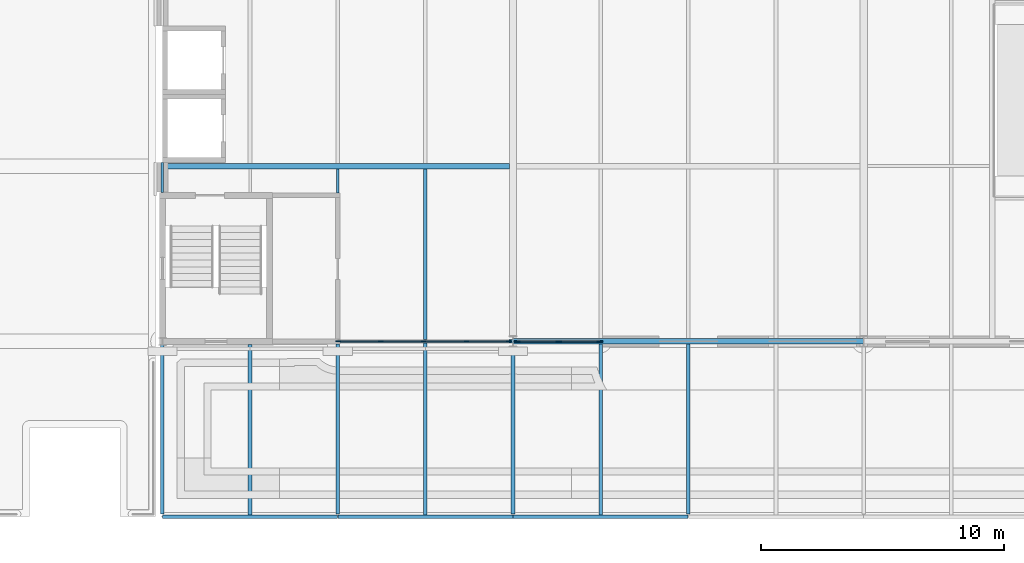
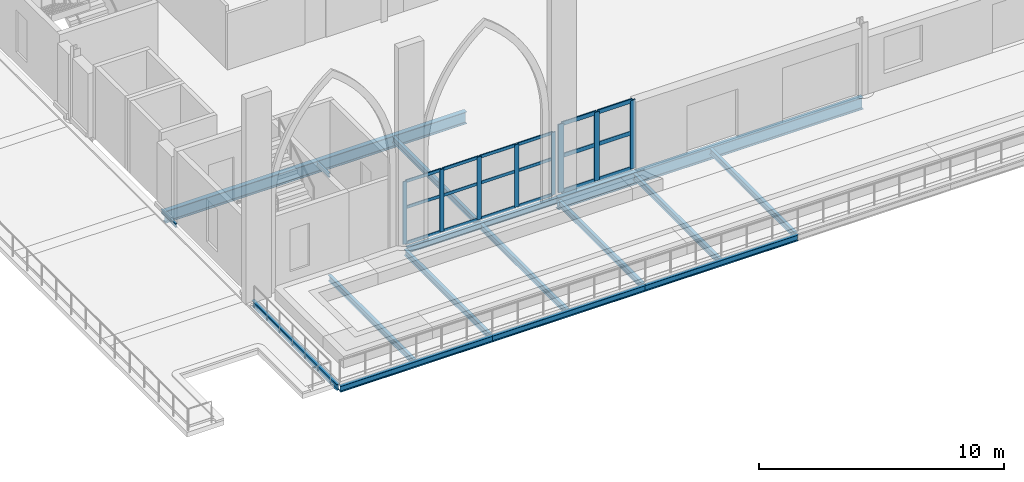
# One storey, part 30 of 143: 26 members, 16 beams, 2 elements without a shape of their own.
"""IFC4 building model written with IfcOpenShell, lengths in metres."""

from ifc_helpers import new_model, si_unit, direction, frame, origin, origin_2d, place, context, subcontext, project, spatial, rectangle, i_section, extrude, material, material_profile, profile_set, type_object, element, aggregate, save


model = new_model("IFC4")

# Units and contexts
model_context = context("Model", 3, precision=1e-05, world=origin(), true_north=direction((0.0, 1.0)))
body_context = subcontext(model_context, "Body", "Model", "MODEL_VIEW")
ifc_project = project(units=[si_unit("LENGTHUNIT", "METRE"), si_unit("AREAUNIT", "SQUARE_METRE"), si_unit("VOLUMEUNIT", "CUBIC_METRE"), si_unit("PLANEANGLEUNIT", "RADIAN"), si_unit("MASSUNIT", "GRAM", prefix="KILO")], contexts=[model_context])

# Site, building, storey
site_placement = place(None, origin())
site = spatial("IfcSite", under=ifc_project, at=site_placement, CompositionType="ELEMENT")
building_placement = place(site_placement, origin())
building = spatial("IfcBuilding", under=site, at=building_placement, Name="Kupolbacken Congress Centre", CompositionType="ELEMENT")
storey_placement = place(building_placement, frame((0.0, 0.0, 7.199951171875)))
storey = spatial("IfcBuildingStorey", under=building, at=storey_placement, Name="L02", CompositionType="ELEMENT", Elevation=7.199951171875)

# Beams
ifc_material_1 = material(Name="Steel S355", Category="steel")
ifc_material_profile_1 = material_profile(ifc_material_1, i_section(OverallWidth=0.10009765625, OverallDepth=0.199951171875, WebThickness=0.005615234375, FlangeThickness=0.008544921875, FilletRadius=0.011962890625, at=origin_2d()), Name="IPE 200")
ifc_profile_set_1 = profile_set([ifc_material_profile_1], Name="Steel S355")
beam_type_1 = type_object("IfcBeamType", Name="B01 beam IPE 200", PredefinedType="BEAM", material=ifc_profile_set_1)
beam_1_placement = place(storey_placement, frame((7.199951171875, 34.925048828125, -0.280029296875), z_axis=(0.0, 1.0, 0.0), x_axis=(-1.0, 0.0, 0.0)))
element("IfcBeam", 1, at=beam_1_placement, inside=storey, type_object=beam_type_1, Name="S/floor/F/L02/G002", PredefinedType="BEAM", context=body_context, shape_type="SweptSolid", body=[
    extrude(i_section(OverallWidth=0.10009765625, OverallDepth=0.199951171875, WebThickness=0.005615234375, FlangeThickness=0.008544921875, FilletRadius=0.011962890625, at=origin_2d()), origin(), (0.0, 0.0, 1.0), 1.224853515625),
])
beam_2_placement = place(storey_placement, frame((14.39990234375, 34.89990234375, -0.280029296875), z_axis=(0.0, 1.0, 0.0), x_axis=(-1.0, 0.0, 0.0)))
element("IfcBeam", 2, at=beam_2_placement, inside=storey, type_object=beam_type_1, Name="S/floor/F/L02/S061", PredefinedType="BEAM", context=body_context, shape_type="SweptSolid", body=[
    extrude(i_section(OverallWidth=0.10009765625, OverallDepth=0.199951171875, WebThickness=0.005615234375, FlangeThickness=0.008544921875, FilletRadius=0.011962890625, at=origin_2d()), origin(), (0.0, 0.0, 1.0), 0.989990234375),
])
ifc_material_2 = material(Name="Steel S355", Category="steel")
ifc_material_profile_2 = material_profile(ifc_material_2, i_section(OverallWidth=0.14990234375, OverallDepth=0.300048828125, WebThickness=0.007080078125, FlangeThickness=0.0107421875, FilletRadius=0.014892578125, at=origin_2d()), Name="IPE 300")
ifc_profile_set_2 = profile_set([ifc_material_profile_2], Name="Steel S355")
beam_type_2 = type_object("IfcBeamType", Name="B04 beam IPE 300", PredefinedType="BEAM", material=ifc_profile_set_2)
beam_3_placement = place(storey_placement, frame((7.199951171875, 21.715087890625, -0.329833984375), z_axis=(0.0, 1.0, 0.0), x_axis=(-1.0, 0.0, 0.0)))
element("IfcBeam", 3, at=beam_3_placement, inside=storey, type_object=beam_type_2, Name="S/floor/F/L02/G001", PredefinedType="BEAM", context=body_context, shape_type="SweptSolid", body=[
    extrude(i_section(OverallWidth=0.14990234375, OverallDepth=0.300048828125, WebThickness=0.007080078125, FlangeThickness=0.0107421875, FilletRadius=0.014892578125, at=origin_2d()), origin(), (0.0, 0.0, 1.0), 6.9599609375),
])
beam_4_placement = place(storey_placement, frame((21.60009765625, 21.715087890625, -0.329833984375), z_axis=(0.0, 1.0, 0.0), x_axis=(-1.0, 0.0, 0.0)))
element("IfcBeam", 4, at=beam_4_placement, inside=storey, type_object=beam_type_2, Name="S/floor/F/L02/G005", PredefinedType="BEAM", context=body_context, shape_type="SweptSolid", body=[
    extrude(i_section(OverallWidth=0.14990234375, OverallDepth=0.300048828125, WebThickness=0.007080078125, FlangeThickness=0.0107421875, FilletRadius=0.014892578125, at=origin_2d()), origin(), (0.0, 0.0, 1.0), 6.85986328125),
])
beam_5_placement = place(storey_placement, frame((14.5, 28.800048828125, -0.329833984375), z_axis=(1.0, 0.0, 0.0), x_axis=(0.0, 1.0, 0.0)))
element("IfcBeam", 5, at=beam_5_placement, inside=storey, type_object=beam_type_2, Name="S/floor/F/L02/R021", PredefinedType="BEAM", context=body_context, shape_type="SweptSolid", body=[
    extrude(i_section(OverallWidth=0.14990234375, OverallDepth=0.300048828125, WebThickness=0.007080078125, FlangeThickness=0.0107421875, FilletRadius=0.014892578125, at=origin_2d()), origin(), (0.0, 0.0, 1.0), 7.093017578125),
])
for number, where, z_axis, x_axis, name in (
    (6, (7.203857421875, 21.60009765625, -0.329833984375), (1.0, 0.0, 0.0), (0.0, 1.0, 0.0), "S/floor/F/L02/R036"),
    (7, (14.40380859375, 21.60009765625, -0.329833984375), (1.0, 0.0, 0.0), (0.0, 1.0, 0.0), "S/floor/F/L02/R037"),
    (8, (21.603759765625, 21.60009765625, -0.329833984375), (1.0, 0.0, 0.0), (0.0, 1.0, 0.0), "S/floor/F/L02/R038"),
):
    element("IfcBeam", number, at=place(storey_placement, frame(where, z_axis=z_axis, x_axis=x_axis)), inside=storey, type_object=beam_type_2, Name=name, PredefinedType="BEAM", context=body_context, shape_type="SweptSolid", body=[
        extrude(i_section(OverallWidth=0.14990234375, OverallDepth=0.300048828125, WebThickness=0.007080078125, FlangeThickness=0.0107421875, FilletRadius=0.014892578125, at=origin_2d()), origin(), (0.0, 0.0, 1.0), 7.1923828125),
    ])
beam_6_placement = place(storey_placement, frame((10.800048828125, 21.675048828125, -0.329833984375), z_axis=(0.0, 1.0, 0.0), x_axis=(-1.0, 0.0, 0.0)))
element("IfcBeam", 9, at=beam_6_placement, inside=storey, type_object=beam_type_2, Name="S/floor/F/L02/S056", PredefinedType="BEAM", context=body_context, shape_type="SweptSolid", body=[
    extrude(i_section(OverallWidth=0.14990234375, OverallDepth=0.300048828125, WebThickness=0.007080078125, FlangeThickness=0.0107421875, FilletRadius=0.014892578125, at=origin_2d()), origin(), (0.0, 0.0, 1.0), 7.0),
])
beam_7_placement = place(storey_placement, frame((14.39990234375, 21.715087890625, -0.329833984375), z_axis=(0.0, 1.0, 0.0), x_axis=(-1.0, 0.0, 0.0)))
element("IfcBeam", 10, at=beam_7_placement, inside=storey, type_object=beam_type_2, Name="S/floor/F/L02/S060", PredefinedType="BEAM", context=body_context, shape_type="SweptSolid", body=[
    extrude(i_section(OverallWidth=0.14990234375, OverallDepth=0.300048828125, WebThickness=0.007080078125, FlangeThickness=0.0107421875, FilletRadius=0.014892578125, at=origin_2d()), origin(), (0.0, 0.0, 1.0), 6.98486328125),
])
beam_8_placement = place(storey_placement, frame((18.0, 21.675048828125, -0.329833984375), z_axis=(0.0, 1.0, 0.0), x_axis=(-1.0, 0.0, 0.0)))
element("IfcBeam", 11, at=beam_8_placement, inside=storey, type_object=beam_type_2, Name="S/floor/F/L02/S064", PredefinedType="BEAM", context=body_context, shape_type="SweptSolid", body=[
    extrude(i_section(OverallWidth=0.14990234375, OverallDepth=0.300048828125, WebThickness=0.007080078125, FlangeThickness=0.0107421875, FilletRadius=0.014892578125, at=origin_2d()), origin(), (0.0, 0.0, 1.0), 7.050048828125),
])
for number, where, z_axis, x_axis, name in (
    (12, (18.0, 28.875, -0.329833984375), (0.0, 1.0, 0.0), (-1.0, 0.0, 0.0), "S/floor/F/L02/S065"),
    (13, (25.199951171875, 21.675048828125, -0.329833984375), (0.0, 1.0, 0.0), (-1.0, 0.0, 0.0), "S/floor/F/L02/S068"),
):
    element("IfcBeam", number, at=place(storey_placement, frame(where, z_axis=z_axis, x_axis=x_axis)), inside=storey, type_object=beam_type_2, Name=name, PredefinedType="BEAM", context=body_context, shape_type="SweptSolid", body=[
        extrude(i_section(OverallWidth=0.14990234375, OverallDepth=0.300048828125, WebThickness=0.007080078125, FlangeThickness=0.0107421875, FilletRadius=0.014892578125, at=origin_2d()), origin(), (0.0, 0.0, 1.0), 7.014892578125),
    ])
beam_9_placement = place(storey_placement, frame((28.800048828125, 21.715087890625, -0.329833984375), z_axis=(0.0, 1.0, 0.0), x_axis=(-1.0, 0.0, 0.0)))
element("IfcBeam", 14, at=beam_9_placement, inside=storey, type_object=beam_type_2, Name="S/floor/F/L02/S072", PredefinedType="BEAM", context=body_context, shape_type="SweptSolid", body=[
    extrude(i_section(OverallWidth=0.14990234375, OverallDepth=0.300048828125, WebThickness=0.007080078125, FlangeThickness=0.0107421875, FilletRadius=0.014892578125, at=origin_2d()), origin(), (0.0, 0.0, 1.0), 6.974853515625),
])
ifc_material_3 = material(Name="Steel S355", Category="steel")
ifc_material_profile_3 = material_profile(ifc_material_3, i_section(OverallWidth=0.219970703125, OverallDepth=0.60009765625, WebThickness=0.011962890625, FlangeThickness=0.01904296875, FilletRadius=0.02392578125, at=origin_2d()), Name="IPE 600")
ifc_profile_set_3 = profile_set([ifc_material_profile_3], Name="Steel S355")
beam_type_3 = type_object("IfcBeamType", Name="B11 beam IPE 600", PredefinedType="BEAM", material=ifc_profile_set_3)
beam_10_placement = place(storey_placement, frame((21.60693359375, 28.800048828125, -0.47998046875), z_axis=(1.0, 0.0, 0.0), x_axis=(0.0, 1.0, 0.0)))
element("IfcBeam", 15, at=beam_10_placement, inside=storey, type_object=beam_type_3, Name="S/floor/F/L02/R022", PredefinedType="BEAM", context=body_context, shape_type="SweptSolid", body=[
    extrude(i_section(OverallWidth=0.219970703125, OverallDepth=0.60009765625, WebThickness=0.011962890625, FlangeThickness=0.01904296875, FilletRadius=0.02392578125, at=origin_2d()), origin(), (0.0, 0.0, 1.0), 14.385986328125),
])
beam_11_placement = place(storey_placement, frame((7.25, 36.0, -0.47998046875), z_axis=(1.0, 0.0, 0.0), x_axis=(0.0, 1.0, 0.0)))
element("IfcBeam", 16, at=beam_11_placement, inside=storey, type_object=beam_type_3, Name="S/floor/F/L02/R050", PredefinedType="BEAM", context=body_context, shape_type="SweptSolid", body=[
    extrude(i_section(OverallWidth=0.219970703125, OverallDepth=0.60009765625, WebThickness=0.011962890625, FlangeThickness=0.01904296875, FilletRadius=0.02392578125, at=origin_2d()), origin(), (0.0, 0.0, 1.0), 14.199951171875),
])

# Curtain wall, members
ifc_material_4 = material(Name="Aluminium mullion-transom frame with glass", Category="aluminium")
curtain_wall_type_1 = type_object("IfcCurtainWallType", Name="CW1 curtain wall 7200x3600", PredefinedType="NOTDEFINED", material=ifc_material_4)
curtain_wall_1_placement = place(storey_placement, origin())
curtain_wall_1 = element("IfcCurtainWall", 17, at=curtain_wall_1_placement, inside=storey, type_object=curtain_wall_type_1, Name="E/F/S/L02/232", PredefinedType="NOTDEFINED")
ifc_material_5 = material(Name="Aluminium alloy", Category="aluminium")
ifc_material_profile_4 = material_profile(ifc_material_5, rectangle(XDim=0.050048828125, YDim=0.199951171875, at=origin_2d()), Name="50 x 200")
ifc_profile_set_4 = profile_set([ifc_material_profile_4], Name="Aluminium alloy")
member_type_1 = type_object("IfcMemberType", Name="MU2 mullion 50x200", PredefinedType="MULLION", material=ifc_profile_set_4)
member_1_placement = place(storey_placement, frame((14.425048828125, 28.800048828125, 0.0), z_axis=(0.0, 0.0, 1.0), x_axis=(0.0, 1.0, 0.0)))
member_1 = element("IfcMember", 18, at=member_1_placement, type_object=member_type_1, Name="CW1 mullion 1", PredefinedType="MULLION", context=body_context, shape_type="SweptSolid", body=[
    extrude(rectangle(XDim=0.050048828125, YDim=0.199951171875, at=origin_2d()), origin(), (0.0, 0.0, 1.0), 3.1201171875),
])
member_2_placement = place(storey_placement, frame((16.16259765625, 28.800048828125, 0.0), z_axis=(0.0, 0.0, 1.0), x_axis=(0.0, 1.0, 0.0)))
member_2 = element("IfcMember", 19, at=member_2_placement, type_object=member_type_1, Name="CW1 mullion 2", PredefinedType="MULLION", context=body_context, shape_type="SweptSolid", body=[
    extrude(rectangle(XDim=0.050048828125, YDim=0.199951171875, at=origin_2d()), origin(), (0.0, 0.0, 1.0), 3.1201171875),
])
member_3_placement = place(storey_placement, frame((17.925048828125, 28.800048828125, 0.0), z_axis=(0.0, 0.0, 1.0), x_axis=(0.0, 1.0, 0.0)))
member_3 = element("IfcMember", 20, at=member_3_placement, type_object=member_type_1, Name="CW1 mullion 3", PredefinedType="MULLION", context=body_context, shape_type="SweptSolid", body=[
    extrude(rectangle(XDim=0.050048828125, YDim=0.199951171875, at=origin_2d()), origin(), (0.0, 0.0, 1.0), 3.1201171875),
])
member_4_placement = place(storey_placement, frame((19.6875, 28.800048828125, 0.0), z_axis=(0.0, 0.0, 1.0), x_axis=(0.0, 1.0, 0.0)))
member_4 = element("IfcMember", 21, at=member_4_placement, type_object=member_type_1, Name="CW1 mullion 4", PredefinedType="MULLION", context=body_context, shape_type="SweptSolid", body=[
    extrude(rectangle(XDim=0.050048828125, YDim=0.199951171875, at=origin_2d()), origin(), (0.0, 0.0, 1.0), 3.1201171875),
])
member_5_placement = place(storey_placement, frame((21.425048828125, 28.800048828125, 0.0), z_axis=(0.0, 0.0, 1.0), x_axis=(0.0, 1.0, 0.0)))
member_5 = element("IfcMember", 22, at=member_5_placement, type_object=member_type_1, Name="CW1 mullion 5", PredefinedType="MULLION", context=body_context, shape_type="SweptSolid", body=[
    extrude(rectangle(XDim=0.050048828125, YDim=0.199951171875, at=origin_2d()), origin(), (0.0, 0.0, 1.0), 3.1201171875),
])

ifc_material_6 = material(Name="Aluminium mullion-transom frame with glass", Category="aluminium")
curtain_wall_type_2 = type_object("IfcCurtainWallType", Name="CW2 curtain wall 3600x3600", PredefinedType="NOTDEFINED", material=ifc_material_6)
curtain_wall_2_placement = place(storey_placement, origin())
curtain_wall_2 = element("IfcCurtainWall", 23, at=curtain_wall_2_placement, inside=storey, type_object=curtain_wall_type_2, Name="E/F/S/L02/233", PredefinedType="NOTDEFINED")
ifc_material_7 = material(Name="Aluminium alloy", Category="aluminium")
ifc_material_profile_5 = material_profile(ifc_material_7, rectangle(XDim=0.06005859375, YDim=0.25, at=origin_2d()), Name="60 x 250")
ifc_profile_set_5 = profile_set([ifc_material_profile_5], Name="Aluminium alloy")
member_type_2 = type_object("IfcMemberType", Name="MU3 mullion 60x250", PredefinedType="MULLION", material=ifc_profile_set_5)
member_6_placement = place(storey_placement, frame((21.780029296875, 28.800048828125, 0.0), z_axis=(0.0, 0.0, 1.0), x_axis=(0.0, 1.0, 0.0)))
member_6 = element("IfcMember", 24, at=member_6_placement, type_object=member_type_2, Name="CW2 mullion 1", PredefinedType="MULLION", context=body_context, shape_type="SweptSolid", body=[
    extrude(rectangle(XDim=0.06005859375, YDim=0.25, at=origin_2d()), origin(), (0.0, 0.0, 1.0), 3.420166015625),
])
member_7_placement = place(storey_placement, frame((23.47509765625, 28.800048828125, 0.0), z_axis=(0.0, 0.0, 1.0), x_axis=(0.0, 1.0, 0.0)))
member_7 = element("IfcMember", 25, at=member_7_placement, type_object=member_type_2, Name="CW2 mullion 2", PredefinedType="MULLION", context=body_context, shape_type="SweptSolid", body=[
    extrude(rectangle(XDim=0.06005859375, YDim=0.25, at=origin_2d()), origin(), (0.0, 0.0, 1.0), 3.420166015625),
])
member_8_placement = place(storey_placement, frame((25.169921875, 28.800048828125, 0.0), z_axis=(0.0, 0.0, 1.0), x_axis=(0.0, 1.0, 0.0)))
member_8 = element("IfcMember", 26, at=member_8_placement, type_object=member_type_2, Name="CW2 mullion 3", PredefinedType="MULLION", context=body_context, shape_type="SweptSolid", body=[
    extrude(rectangle(XDim=0.06005859375, YDim=0.25, at=origin_2d()), origin(), (0.0, 0.0, 1.0), 3.420166015625),
])

# Member
ifc_material_8 = material(Name="Aluminium alloy", Category="aluminium")
ifc_material_profile_6 = material_profile(ifc_material_8, rectangle(XDim=0.050048828125, YDim=0.14990234375, at=origin_2d()), Name="50 x 150")
ifc_profile_set_6 = profile_set([ifc_material_profile_6], Name="Aluminium alloy")
member_type_3 = type_object("IfcMemberType", Name="TR2 transom 50x150", PredefinedType="MULLION", material=ifc_profile_set_6)
member_9_placement = place(storey_placement, frame((14.449951171875, 28.800048828125, 0.025146484375), z_axis=(1.0, 0.0, 0.0), x_axis=(0.0, 1.0, 0.0)))
member_9 = element("IfcMember", 27, at=member_9_placement, type_object=member_type_3, Name="CW1 transom 1.1", PredefinedType="MULLION", context=body_context, shape_type="SweptSolid", body=[
    extrude(rectangle(XDim=0.050048828125, YDim=0.14990234375, at=origin_2d()), origin(), (0.0, 0.0, 1.0), 1.6875),
])

member_10_placement = place(storey_placement, frame((14.449951171875, 28.800048828125, 1.800048828125), z_axis=(1.0, 0.0, 0.0), x_axis=(0.0, 1.0, 0.0)))
member_10 = element("IfcMember", 28, at=member_10_placement, type_object=member_type_3, Name="CW1 transom 1.2", PredefinedType="MULLION", context=body_context, shape_type="SweptSolid", body=[
    extrude(rectangle(XDim=0.050048828125, YDim=0.14990234375, at=origin_2d()), origin(), (0.0, 0.0, 1.0), 1.6875),
])

member_11_placement = place(storey_placement, frame((14.449951171875, 28.800048828125, 3.094970703125), z_axis=(1.0, 0.0, 0.0), x_axis=(0.0, 1.0, 0.0)))
member_11 = element("IfcMember", 29, at=member_11_placement, type_object=member_type_3, Name="CW1 transom 1.3", PredefinedType="MULLION", context=body_context, shape_type="SweptSolid", body=[
    extrude(rectangle(XDim=0.050048828125, YDim=0.14990234375, at=origin_2d()), origin(), (0.0, 0.0, 1.0), 1.6875),
])

member_12_placement = place(storey_placement, frame((16.1875, 28.800048828125, 0.025146484375), z_axis=(1.0, 0.0, 0.0), x_axis=(0.0, 1.0, 0.0)))
member_12 = element("IfcMember", 30, at=member_12_placement, type_object=member_type_3, Name="CW1 transom 2.1", PredefinedType="MULLION", context=body_context, shape_type="SweptSolid", body=[
    extrude(rectangle(XDim=0.050048828125, YDim=0.14990234375, at=origin_2d()), origin(), (0.0, 0.0, 1.0), 1.71240234375),
])

member_13_placement = place(storey_placement, frame((16.1875, 28.800048828125, 1.800048828125), z_axis=(1.0, 0.0, 0.0), x_axis=(0.0, 1.0, 0.0)))
member_13 = element("IfcMember", 31, at=member_13_placement, type_object=member_type_3, Name="CW1 transom 2.2", PredefinedType="MULLION", context=body_context, shape_type="SweptSolid", body=[
    extrude(rectangle(XDim=0.050048828125, YDim=0.14990234375, at=origin_2d()), origin(), (0.0, 0.0, 1.0), 1.71240234375),
])

member_14_placement = place(storey_placement, frame((16.1875, 28.800048828125, 3.094970703125), z_axis=(1.0, 0.0, 0.0), x_axis=(0.0, 1.0, 0.0)))
member_14 = element("IfcMember", 32, at=member_14_placement, type_object=member_type_3, Name="CW1 transom 2.3", PredefinedType="MULLION", context=body_context, shape_type="SweptSolid", body=[
    extrude(rectangle(XDim=0.050048828125, YDim=0.14990234375, at=origin_2d()), origin(), (0.0, 0.0, 1.0), 1.71240234375),
])

member_15_placement = place(storey_placement, frame((17.949951171875, 28.800048828125, 0.025146484375), z_axis=(1.0, 0.0, 0.0), x_axis=(0.0, 1.0, 0.0)))
member_15 = element("IfcMember", 33, at=member_15_placement, type_object=member_type_3, Name="CW1 transom 3.1", PredefinedType="MULLION", context=body_context, shape_type="SweptSolid", body=[
    extrude(rectangle(XDim=0.050048828125, YDim=0.14990234375, at=origin_2d()), origin(), (0.0, 0.0, 1.0), 1.712646484375),
])

member_16_placement = place(storey_placement, frame((17.949951171875, 28.800048828125, 1.800048828125), z_axis=(1.0, 0.0, 0.0), x_axis=(0.0, 1.0, 0.0)))
member_16 = element("IfcMember", 34, at=member_16_placement, type_object=member_type_3, Name="CW1 transom 3.2", PredefinedType="MULLION", context=body_context, shape_type="SweptSolid", body=[
    extrude(rectangle(XDim=0.050048828125, YDim=0.14990234375, at=origin_2d()), origin(), (0.0, 0.0, 1.0), 1.712646484375),
])

member_17_placement = place(storey_placement, frame((17.949951171875, 28.800048828125, 3.094970703125), z_axis=(1.0, 0.0, 0.0), x_axis=(0.0, 1.0, 0.0)))
member_17 = element("IfcMember", 35, at=member_17_placement, type_object=member_type_3, Name="CW1 transom 3.3", PredefinedType="MULLION", context=body_context, shape_type="SweptSolid", body=[
    extrude(rectangle(XDim=0.050048828125, YDim=0.14990234375, at=origin_2d()), origin(), (0.0, 0.0, 1.0), 1.712646484375),
])

member_18_placement = place(storey_placement, frame((19.71240234375, 28.800048828125, 0.025146484375), z_axis=(1.0, 0.0, 0.0), x_axis=(0.0, 1.0, 0.0)))
member_18 = element("IfcMember", 36, at=member_18_placement, type_object=member_type_3, Name="CW1 transom 4.1", PredefinedType="MULLION", context=body_context, shape_type="SweptSolid", body=[
    extrude(rectangle(XDim=0.050048828125, YDim=0.14990234375, at=origin_2d()), origin(), (0.0, 0.0, 1.0), 1.6875),
])

member_19_placement = place(storey_placement, frame((19.71240234375, 28.800048828125, 1.800048828125), z_axis=(1.0, 0.0, 0.0), x_axis=(0.0, 1.0, 0.0)))
member_19 = element("IfcMember", 37, at=member_19_placement, type_object=member_type_3, Name="CW1 transom 4.2", PredefinedType="MULLION", context=body_context, shape_type="SweptSolid", body=[
    extrude(rectangle(XDim=0.050048828125, YDim=0.14990234375, at=origin_2d()), origin(), (0.0, 0.0, 1.0), 1.6875),
])

member_20_placement = place(storey_placement, frame((19.71240234375, 28.800048828125, 3.094970703125), z_axis=(1.0, 0.0, 0.0), x_axis=(0.0, 1.0, 0.0)))
member_20 = element("IfcMember", 38, at=member_20_placement, type_object=member_type_3, Name="CW1 transom 4.3", PredefinedType="MULLION", context=body_context, shape_type="SweptSolid", body=[
    extrude(rectangle(XDim=0.050048828125, YDim=0.14990234375, at=origin_2d()), origin(), (0.0, 0.0, 1.0), 1.6875),
])

aggregate(curtain_wall_1, [member_1, member_2, member_3, member_4, member_5, member_9, member_10, member_11, member_12, member_13, member_14, member_15, member_16, member_17, member_18, member_19, member_20])

ifc_material_9 = material(Name="Aluminium alloy", Category="aluminium")
ifc_material_profile_7 = material_profile(ifc_material_9, rectangle(XDim=0.06005859375, YDim=0.199951171875, at=origin_2d()), Name="60 x 200")
ifc_profile_set_7 = profile_set([ifc_material_profile_7], Name="Aluminium alloy")
member_type_4 = type_object("IfcMemberType", Name="TR3 transom 60x200", PredefinedType="MULLION", material=ifc_profile_set_7)
member_21_placement = place(storey_placement, frame((21.81005859375, 28.800048828125, 0.030029296875), z_axis=(1.0, 0.0, 0.0), x_axis=(0.0, 1.0, 0.0)))
member_21 = element("IfcMember", 39, at=member_21_placement, type_object=member_type_4, Name="CW2 transom 1.1", PredefinedType="MULLION", context=body_context, shape_type="SweptSolid", body=[
    extrude(rectangle(XDim=0.06005859375, YDim=0.199951171875, at=origin_2d()), origin(), (0.0, 0.0, 1.0), 1.635009765625),
])

member_22_placement = place(storey_placement, frame((21.81005859375, 28.800048828125, 1.800048828125), z_axis=(1.0, 0.0, 0.0), x_axis=(0.0, 1.0, 0.0)))
member_22 = element("IfcMember", 40, at=member_22_placement, type_object=member_type_4, Name="CW2 transom 1.2", PredefinedType="MULLION", context=body_context, shape_type="SweptSolid", body=[
    extrude(rectangle(XDim=0.06005859375, YDim=0.199951171875, at=origin_2d()), origin(), (0.0, 0.0, 1.0), 1.635009765625),
])

member_23_placement = place(storey_placement, frame((21.81005859375, 28.800048828125, 3.39013671875), z_axis=(1.0, 0.0, 0.0), x_axis=(0.0, 1.0, 0.0)))
member_23 = element("IfcMember", 41, at=member_23_placement, type_object=member_type_4, Name="CW2 transom 1.3", PredefinedType="MULLION", context=body_context, shape_type="SweptSolid", body=[
    extrude(rectangle(XDim=0.06005859375, YDim=0.199951171875, at=origin_2d()), origin(), (0.0, 0.0, 1.0), 1.635009765625),
])

member_24_placement = place(storey_placement, frame((23.5048828125, 28.800048828125, 0.030029296875), z_axis=(1.0, 0.0, 0.0), x_axis=(0.0, 1.0, 0.0)))
member_24 = element("IfcMember", 42, at=member_24_placement, type_object=member_type_4, Name="CW2 transom 2.1", PredefinedType="MULLION", context=body_context, shape_type="SweptSolid", body=[
    extrude(rectangle(XDim=0.06005859375, YDim=0.199951171875, at=origin_2d()), origin(), (0.0, 0.0, 1.0), 1.635009765625),
])

member_25_placement = place(storey_placement, frame((23.5048828125, 28.800048828125, 1.800048828125), z_axis=(1.0, 0.0, 0.0), x_axis=(0.0, 1.0, 0.0)))
member_25 = element("IfcMember", 43, at=member_25_placement, type_object=member_type_4, Name="CW2 transom 2.2", PredefinedType="MULLION", context=body_context, shape_type="SweptSolid", body=[
    extrude(rectangle(XDim=0.06005859375, YDim=0.199951171875, at=origin_2d()), origin(), (0.0, 0.0, 1.0), 1.635009765625),
])

member_26_placement = place(storey_placement, frame((23.5048828125, 28.800048828125, 3.39013671875), z_axis=(1.0, 0.0, 0.0), x_axis=(0.0, 1.0, 0.0)))
member_26 = element("IfcMember", 44, at=member_26_placement, type_object=member_type_4, Name="CW2 transom 2.3", PredefinedType="MULLION", context=body_context, shape_type="SweptSolid", body=[
    extrude(rectangle(XDim=0.06005859375, YDim=0.199951171875, at=origin_2d()), origin(), (0.0, 0.0, 1.0), 1.635009765625),
])

aggregate(curtain_wall_2, [member_6, member_7, member_8, member_21, member_22, member_23, member_24, member_25, member_26])

save(model, "model.ifc")
